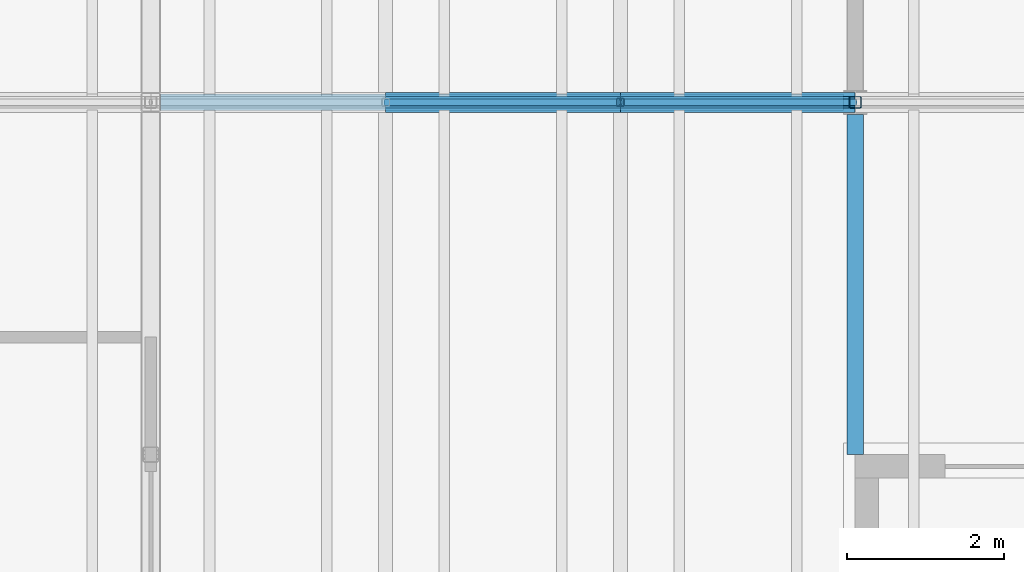
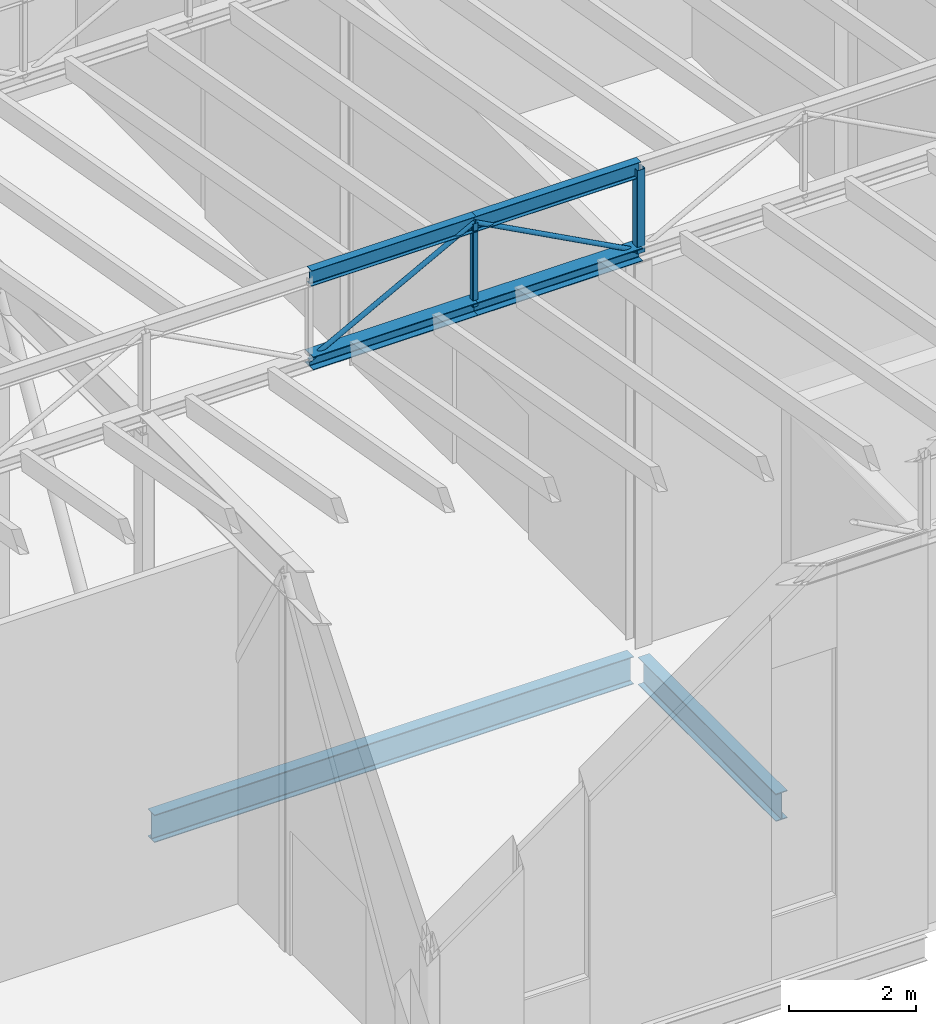
# One storey, part 36 of 90: 8 members, 2 beams.
"""IFC4 building model written with IfcOpenShell, lengths in metres."""

from ifc_helpers import new_model, si_unit, direction, frame, origin, origin_2d, place, context, subcontext, project, spatial, hollow_rectangle, hollow_circle, i_section, extrude, material, material_profile, profile_set, type_object, element, save


model = new_model("IFC4")

# Units and contexts
model_context = context("Model", 3, precision=1e-05, world=origin(), true_north=direction((0.0, 1.0)))
body_context = subcontext(model_context, "Body", "Model", "MODEL_VIEW")
ifc_project = project(units=[si_unit("LENGTHUNIT", "METRE"), si_unit("AREAUNIT", "SQUARE_METRE"), si_unit("VOLUMEUNIT", "CUBIC_METRE"), si_unit("PLANEANGLEUNIT", "RADIAN"), si_unit("MASSUNIT", "GRAM", prefix="KILO")], contexts=[model_context])

# Site, building, storey
site_placement = place(None, origin())
site = spatial("IfcSite", under=ifc_project, at=site_placement, CompositionType="ELEMENT")
building_placement = place(site_placement, origin())
building = spatial("IfcBuilding", under=site, at=building_placement, Name="Halyard Row Museum", CompositionType="ELEMENT")
storey_placement = place(building_placement, frame((0.0, 0.0, 13.39990234375)))
storey = spatial("IfcBuildingStorey", under=building, at=storey_placement, Name="L03", CompositionType="ELEMENT", Elevation=13.39990234375)

# Beams
ifc_material_1 = material(Name="Steel Grade 300", Category="steel")
ifc_material_profile_1 = material_profile(ifc_material_1, i_section(OverallWidth=0.208984375, OverallDepth=0.532958984375, WebThickness=0.01025390625, FlangeThickness=0.015625, FilletRadius=0.013916015625, at=origin_2d()), Name="530UB92.4")
ifc_profile_set_1 = profile_set([ifc_material_profile_1], Name="Steel Grade 300")
beam_type = type_object("IfcBeamType", Name="Girder beam 530UB92.4", PredefinedType="BEAM", material=ifc_profile_set_1)
beam_1_placement = place(storey_placement, frame((54.125, 27.0, -0.431396484375), z_axis=(1.0, 0.0, 0.0), x_axis=(0.0, 1.0, 0.0)))
element("IfcBeam", 1, at=beam_1_placement, inside=storey, type_object=beam_type, Name="Beam L03-021", PredefinedType="BEAM", context=body_context, shape_type="SweptSolid", body=[
    extrude(i_section(OverallWidth=0.208984375, OverallDepth=0.532958984375, WebThickness=0.01025390625, FlangeThickness=0.015625, FilletRadius=0.013916015625, at=origin_2d()), origin(), (0.0, 0.0, 1.0), 8.722412109375),
])
beam_2_placement = place(storey_placement, frame((63.0, 22.5, -0.431396484375), z_axis=(0.0, 1.0, 0.0), x_axis=(-1.0, 0.0, 0.0)))
element("IfcBeam", 2, at=beam_2_placement, inside=storey, type_object=beam_type, Name="Beam L03-049", PredefinedType="BEAM", context=body_context, shape_type="SweptSolid", body=[
    extrude(i_section(OverallWidth=0.208984375, OverallDepth=0.532958984375, WebThickness=0.01025390625, FlangeThickness=0.015625, FilletRadius=0.013916015625, at=origin_2d()), origin(), (0.0, 0.0, 1.0), 4.345947265625),
])

# Members
ifc_material_2 = material(Name="Steel Grade 300", Category="steel")
ifc_material_profile_2 = material_profile(ifc_material_2, i_section(OverallWidth=0.25390625, OverallDepth=0.25390625, WebThickness=0.008544921875, FlangeThickness=0.01416015625, FilletRadius=0.013916015625, at=origin_2d()), Name="250UC72.9")
ifc_profile_set_2 = profile_set([ifc_material_profile_2], Name="Steel Grade 300")
member_type_1 = type_object("IfcMemberType", Name="Valley truss bottom chord 250UC72.9", PredefinedType="CHORD", material=ifc_profile_set_2)
for number, where, z_axis, x_axis, name in (
    (3, (57.0, 27.0, 7.527099609375), (1.0, 0.0, 0.0), (0.0, 1.0, 0.0), "V1-VT2 bottom chord 4.2"),
    (4, (60.0, 27.0, 7.527099609375), (1.0, 0.0, 0.0), (0.0, 1.0, 0.0), "V1-VT2 bottom chord 4.3"),
):
    element("IfcMember", number, at=place(storey_placement, frame(where, z_axis=z_axis, x_axis=x_axis)), inside=storey, type_object=member_type_1, Name=name, PredefinedType="CHORD", context=body_context, shape_type="SweptSolid", body=[
        extrude(i_section(OverallWidth=0.25390625, OverallDepth=0.25390625, WebThickness=0.008544921875, FlangeThickness=0.01416015625, FilletRadius=0.013916015625, at=origin_2d()), origin(), (0.0, 0.0, 1.0), 3.0),
    ])
ifc_material_3 = material(Name="Steel Grade C250L0", Category="steel")
ifc_material_profile_3 = material_profile(ifc_material_3, hollow_circle(Radius=0.04443359375, WallThickness=0.0048828125, at=origin_2d()), Name="88.9x5.0CHS")
ifc_profile_set_3 = profile_set([ifc_material_profile_3], Name="Steel Grade C250L0")
member_type_2 = type_object("IfcMemberType", Name="Valley truss diagonal 88.9x5.0CHS", PredefinedType="BRACE", material=ifc_profile_set_3)
for number, where, z_axis, x_axis, name in (
    (5, (57.0, 27.0, 7.527099609375), (0.881863759518, 0.0, 0.471504305016), (0.0, 1.0, 0.0), "V1-VT2 diagonal 4.2"),
    (6, (60.0, 27.0, 9.131103515625), (0.881863759518, 0.0, -0.471504305016), (0.0, 1.0, 0.0), "V1-VT2 diagonal 4.3"),
):
    element("IfcMember", number, at=place(storey_placement, frame(where, z_axis=z_axis, x_axis=x_axis)), inside=storey, type_object=member_type_2, Name=name, PredefinedType="BRACE", context=body_context, shape_type="SweptSolid", body=[
        extrude(hollow_circle(Radius=0.04443359375, WallThickness=0.0048828125, at=origin_2d()), origin(), (0.0, 0.0, 1.0), 3.40185546875),
    ])
ifc_material_4 = material(Name="Steel Grade C350L0", Category="steel")
ifc_material_profile_4 = material_profile(ifc_material_4, hollow_rectangle(XDim=0.10009765625, YDim=0.10009765625, WallThickness=0.006103515625, InnerFilletRadius=0.009033203125, OuterFilletRadius=0.014892578125, at=origin_2d()), Name="100x100x6.0SHS")
ifc_profile_set_4 = profile_set([ifc_material_profile_4], Name="Steel Grade C350L0")
member_type_3 = type_object("IfcMemberType", Name="Valley truss post 100x100x6.0SHS", PredefinedType="POST", material=ifc_profile_set_4)
member_1_placement = place(storey_placement, frame((60.0, 27.0, 7.527099609375), z_axis=(0.0, 0.0, 1.0), x_axis=(1.0, 0.0, 0.0)))
element("IfcMember", 7, at=member_1_placement, inside=storey, type_object=member_type_3, Name="V1-VT2 post 4.2", PredefinedType="POST", context=body_context, shape_type="SweptSolid", body=[
    extrude(hollow_rectangle(XDim=0.10009765625, YDim=0.10009765625, WallThickness=0.006103515625, InnerFilletRadius=0.009033203125, OuterFilletRadius=0.014892578125, at=origin_2d()), origin(), (0.0, 0.0, 1.0), 1.60400390625),
])
ifc_material_5 = material(Name="Steel Grade C350L0", Category="steel")
ifc_material_profile_5 = material_profile(ifc_material_5, hollow_rectangle(XDim=0.14990234375, YDim=0.14990234375, WallThickness=0.006103515625, InnerFilletRadius=0.009033203125, OuterFilletRadius=0.014892578125, at=origin_2d()), Name="150x150x6.0SHS")
ifc_profile_set_5 = profile_set([ifc_material_profile_5], Name="Steel Grade C350L0")
member_type_4 = type_object("IfcMemberType", Name="Valley truss post 150x150x6.0SHS", PredefinedType="POST", material=ifc_profile_set_5)
member_2_placement = place(storey_placement, frame((63.0, 27.0, 7.527099609375), z_axis=(0.0, 0.0, 1.0), x_axis=(1.0, 0.0, 0.0)))
element("IfcMember", 8, at=member_2_placement, inside=storey, type_object=member_type_4, Name="V1-VT2 post 4.3", PredefinedType="POST", context=body_context, shape_type="SweptSolid", body=[
    extrude(hollow_rectangle(XDim=0.14990234375, YDim=0.14990234375, WallThickness=0.006103515625, InnerFilletRadius=0.009033203125, OuterFilletRadius=0.014892578125, at=origin_2d()), origin(), (0.0, 0.0, 1.0), 1.60400390625),
])
ifc_material_6 = material(Name="Steel Grade 300", Category="steel")
ifc_material_profile_6 = material_profile(ifc_material_6, i_section(OverallWidth=0.14892578125, OverallDepth=0.298095703125, WebThickness=0.005615234375, FlangeThickness=0.008056640625, FilletRadius=0.012939453125, at=origin_2d()), Name="310UB32.0")
ifc_profile_set_6 = profile_set([ifc_material_profile_6], Name="Steel Grade 300")
member_type_5 = type_object("IfcMemberType", Name="Valley truss top chord 310UB32.0", PredefinedType="CHORD", material=ifc_profile_set_6)
for number, where, z_axis, x_axis, name in (
    (9, (57.0, 27.0, 9.131103515625), (1.0, 0.0, 0.0), (0.0, 1.0, 0.0), "V1-VT2 top chord 4.2"),
    (10, (60.0, 27.0, 9.131103515625), (1.0, 0.0, 0.0), (0.0, 1.0, 0.0), "V1-VT2 top chord 4.3"),
):
    element("IfcMember", number, at=place(storey_placement, frame(where, z_axis=z_axis, x_axis=x_axis)), inside=storey, type_object=member_type_5, Name=name, PredefinedType="CHORD", context=body_context, shape_type="SweptSolid", body=[
        extrude(i_section(OverallWidth=0.14892578125, OverallDepth=0.298095703125, WebThickness=0.005615234375, FlangeThickness=0.008056640625, FilletRadius=0.012939453125, at=origin_2d()), origin(), (0.0, 0.0, 1.0), 3.0),
    ])

save(model, "model.ifc")
